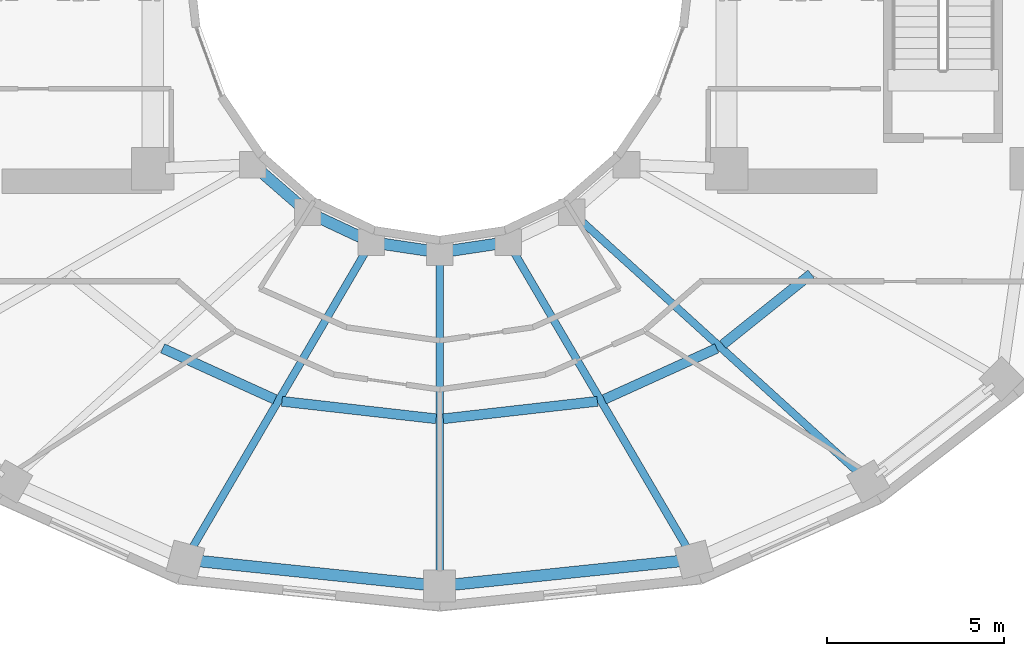
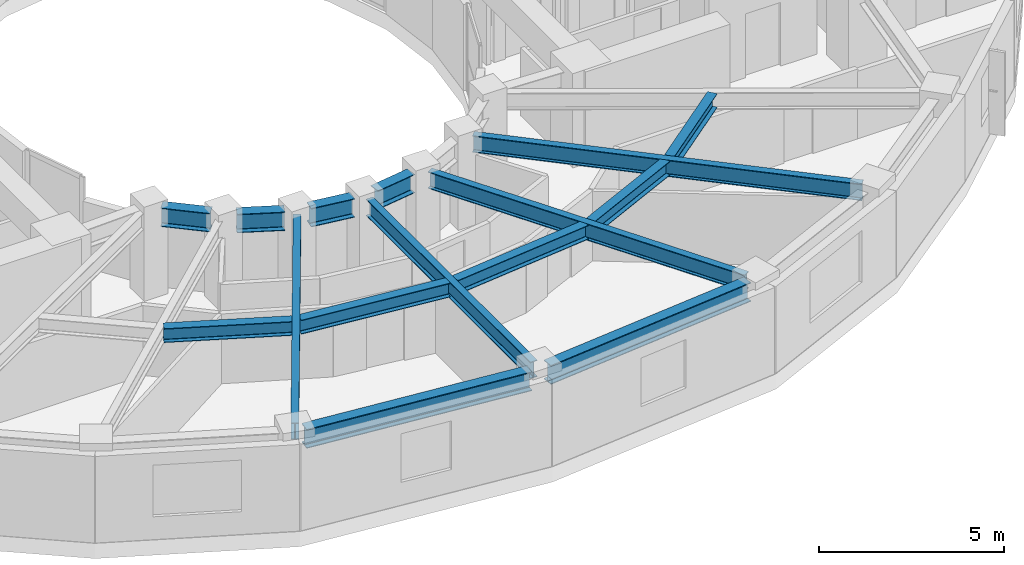
# One storey, part 3 of 20: 15 beams.
"""IFC4 building model written with IfcOpenShell, lengths in metres."""

from ifc_helpers import new_model, si_unit, direction, frame, origin, origin_2d, place, context, subcontext, project, spatial, i_section, extrude, material, material_profile, profile_set, type_object, element, save


model = new_model("IFC4")

# Units and contexts
model_context = context("Model", 3, precision=1e-05, world=origin(), true_north=direction((0.0, 1.0)))
body_context = subcontext(model_context, "Body", "Model", "MODEL_VIEW")
ifc_project = project(units=[si_unit("LENGTHUNIT", "METRE"), si_unit("AREAUNIT", "SQUARE_METRE"), si_unit("VOLUMEUNIT", "CUBIC_METRE"), si_unit("PLANEANGLEUNIT", "RADIAN"), si_unit("MASSUNIT", "GRAM", prefix="KILO")], contexts=[model_context])

# Site, building, storey
site_placement = place(None, origin())
site = spatial("IfcSite", under=ifc_project, at=site_placement, CompositionType="ELEMENT")
building_placement = place(site_placement, origin())
building = spatial("IfcBuilding", under=site, at=building_placement, Name="Solvane Sanctuary Tower", CompositionType="ELEMENT")
storey_placement = place(building_placement, frame((0.0, 0.0, 137.39990234375)))
storey = spatial("IfcBuildingStorey", under=building, at=storey_placement, Name="L41", CompositionType="ELEMENT", Elevation=137.39990234375)

# Beams
ifc_material = material(Name="Steel ASTM A992 Grade 50", Category="steel")
ifc_material_profile_1 = material_profile(ifc_material, i_section(OverallWidth=0.214111328125, OverallDepth=0.549072265625, WebThickness=0.0146484375, FlangeThickness=0.023681640625, FilletRadius=0.014892578125, at=origin_2d()), Name="W21X93")
ifc_profile_set_1 = profile_set([ifc_material_profile_1], Name="Steel ASTM A992 Grade 50")
beam_type_1 = type_object("IfcBeamType", Name="Beam B-RAD-Z3 W21X93", PredefinedType="JOIST", material=ifc_profile_set_1)
beam_1_placement = place(storey_placement, frame((29.927734375, 14.586669921875, 2.603515625), z_axis=(-0.505243742555, -0.862976686017, 0.0), x_axis=(0.862976686017, -0.505243742555, 0.0)))
element("IfcBeam", 1, at=beam_1_placement, inside=storey, type_object=beam_type_1, Name="L41 Radial Composite Floor Beam 10", PredefinedType="JOIST", context=body_context, shape_type="SweptSolid", body=[
    extrude(i_section(OverallWidth=0.214111328125, OverallDepth=0.549072265625, WebThickness=0.0146484375, FlangeThickness=0.023681640625, FilletRadius=0.014892578125, at=origin_2d()), origin(), (0.0, 0.0, 1.0), 9.826171875),
])
beam_2_placement = place(storey_placement, frame((32.0, 14.260009765625, 2.603515625), z_axis=(0.0, -1.0, 0.0), x_axis=(1.0, 0.0, 0.0)))
element("IfcBeam", 2, at=beam_2_placement, inside=storey, type_object=beam_type_1, Name="L41 Radial Composite Floor Beam 11", PredefinedType="JOIST", context=body_context, shape_type="SweptSolid", body=[
    extrude(i_section(OverallWidth=0.214111328125, OverallDepth=0.549072265625, WebThickness=0.0146484375, FlangeThickness=0.023681640625, FilletRadius=0.014892578125, at=origin_2d()), origin(), (0.0, 0.0, 1.0), 8.860107421875),
])
beam_3_placement = place(storey_placement, frame((34.072265625, 14.586669921875, 2.603515625), z_axis=(0.505243742555, -0.862976686017, 0.0), x_axis=(0.862976686017, 0.505243742555, 0.0)))
element("IfcBeam", 3, at=beam_3_placement, inside=storey, type_object=beam_type_1, Name="L41 Radial Composite Floor Beam 12", PredefinedType="JOIST", context=body_context, shape_type="SweptSolid", body=[
    extrude(i_section(OverallWidth=0.214111328125, OverallDepth=0.549072265625, WebThickness=0.0146484375, FlangeThickness=0.023681640625, FilletRadius=0.014892578125, at=origin_2d()), origin(), (0.0, 0.0, 1.0), 9.826171875),
])
beam_4_placement = place(storey_placement, frame((35.937255859375, 15.485107421875, 2.603515625), z_axis=(0.74020423772, -0.672382098558, 0.0), x_axis=(0.672382098558, 0.74020423772, 0.0)))
element("IfcBeam", 4, at=beam_4_placement, inside=storey, type_object=beam_type_1, Name="L41 Radial Composite Floor Beam 13", PredefinedType="JOIST", context=body_context, shape_type="SweptSolid", body=[
    extrude(i_section(OverallWidth=0.214111328125, OverallDepth=0.549072265625, WebThickness=0.0146484375, FlangeThickness=0.023681640625, FilletRadius=0.014892578125, at=origin_2d()), origin(), (0.0, 0.0, 1.0), 10.7451171875),
])
ifc_material_profile_2 = material_profile(ifc_material, i_section(OverallWidth=0.324951171875, OverallDepth=0.615966796875, WebThickness=0.013916015625, FlangeThickness=0.021484375, FilletRadius=0.01611328125, at=origin_2d()), Name="W24X117")
ifc_profile_set_2 = profile_set([ifc_material_profile_2], Name="Steel ASTM A992 Grade 50")
beam_type_2 = type_object("IfcBeamType", Name="Beam B-RING-IN2 W24X117", PredefinedType="BEAM", material=ifc_profile_set_2)
beam_5_placement = place(storey_placement, frame((26.9853515625, 16.79150390625, 2.570068359375), z_axis=(0.754311313851, -0.656516901379, 0.0), x_axis=(0.656516901379, 0.754311313851, 0.0)))
element("IfcBeam", 5, at=beam_5_placement, inside=storey, type_object=beam_type_2, Name="L41 Inner Light-Well Ring Beam IC08-IC09", PredefinedType="BEAM", context=body_context, shape_type="SweptSolid", body=[
    extrude(i_section(OverallWidth=0.324951171875, OverallDepth=0.615966796875, WebThickness=0.013916015625, FlangeThickness=0.021484375, FilletRadius=0.01611328125, at=origin_2d()), origin(), (0.0, 0.0, 1.0), 1.358154296875),
])
beam_6_placement = place(storey_placement, frame((28.582275390625, 15.526611328125, 2.570068359375), z_axis=(0.9051808128, -0.425026700502, 0.0), x_axis=(0.425026700502, 0.9051808128, 0.0)))
element("IfcBeam", 6, at=beam_6_placement, inside=storey, type_object=beam_type_2, Name="L41 Inner Light-Well Ring Beam IC09-IC10", PredefinedType="BEAM", context=body_context, shape_type="SweptSolid", body=[
    extrude(i_section(OverallWidth=0.324951171875, OverallDepth=0.615966796875, WebThickness=0.013916015625, FlangeThickness=0.021484375, FilletRadius=0.01611328125, at=origin_2d()), origin(), (0.0, 0.0, 1.0), 1.297607421875),
])
for number, where, z_axis, x_axis, name in (
    (7, (30.410400390625, 14.77734375, 2.570068359375), (0.989019905763, -0.147782360259, 0.0), (0.147782360259, 0.989019905763, 0.0), "L41 Inner Light-Well Ring Beam IC10-IC11"),
    (8, (32.34130859375, 14.5908203125, 2.570068359375), (0.989019905763, 0.147782360259, 0.0), (-0.147782360259, 0.989019905763, 0.0), "L41 Inner Light-Well Ring Beam IC11-IC12"),
):
    element("IfcBeam", number, at=place(storey_placement, frame(where, z_axis=z_axis, x_axis=x_axis)), inside=storey, type_object=beam_type_2, Name=name, PredefinedType="BEAM", context=body_context, shape_type="SweptSolid", body=[
        extrude(i_section(OverallWidth=0.324951171875, OverallDepth=0.615966796875, WebThickness=0.013916015625, FlangeThickness=0.021484375, FilletRadius=0.01611328125, at=origin_2d()), origin(), (0.0, 0.0, 1.0), 1.26220703125),
    ])
ifc_material_profile_3 = material_profile(ifc_material, i_section(OverallWidth=0.280029296875, OverallDepth=0.462890625, WebThickness=0.0107421875, FlangeThickness=0.017333984375, FilletRadius=0.013916015625, at=origin_2d()), Name="W18X76")
ifc_profile_set_3 = profile_set([ifc_material_profile_3], Name="Steel ASTM A992 Grade 50")
beam_type_3 = type_object("IfcBeamType", Name="Beam B-SEC-JOIST W18X76", PredefinedType="JOIST", material=ifc_profile_set_3)
beam_7_placement = place(storey_placement, frame((24.178955078125, 11.83056640625, 2.646484375), z_axis=(0.910462399508, -0.413591850842, 0.0), x_axis=(0.413591850842, 0.910462399508, 0.0)))
element("IfcBeam", 9, at=beam_7_placement, inside=storey, type_object=beam_type_3, Name="L41 Secondary Circumferential Joist 09-10", PredefinedType="JOIST", context=body_context, shape_type="SweptSolid", body=[
    extrude(i_section(OverallWidth=0.280029296875, OverallDepth=0.462890625, WebThickness=0.0107421875, FlangeThickness=0.017333984375, FilletRadius=0.013916015625, at=origin_2d()), origin(), (0.0, 0.0, 1.0), 3.485595703125),
])
for number, where, z_axis, x_axis, name in (
    (10, (27.546875, 10.335205078125, 2.646484375), (0.993627549834, -0.112713318696, 0.0), (0.112713318696, 0.993627549834, 0.0), "L41 Secondary Circumferential Joist 10-11"),
    (11, (32.101318359375, 9.841552734375, 2.646484375), (0.993627549834, 0.112713318696, 0.0), (-0.112713318696, 0.993627549834, 0.0), "L41 Secondary Circumferential Joist 11-12"),
):
    element("IfcBeam", number, at=place(storey_placement, frame(where, z_axis=z_axis, x_axis=x_axis)), inside=storey, type_object=beam_type_3, Name=name, PredefinedType="JOIST", context=body_context, shape_type="SweptSolid", body=[
        extrude(i_section(OverallWidth=0.280029296875, OverallDepth=0.462890625, WebThickness=0.0107421875, FlangeThickness=0.017333984375, FilletRadius=0.013916015625, at=origin_2d()), origin(), (0.0, 0.0, 1.0), 4.379638671875),
    ])
beam_8_placement = place(storey_placement, frame((36.6474609375, 10.388916015625, 2.646484375), z_axis=(0.910474379443, 0.413565477739, 0.0), x_axis=(-0.413565477739, 0.910474379443, 0.0)))
element("IfcBeam", 12, at=beam_8_placement, inside=storey, type_object=beam_type_3, Name="L41 Secondary Circumferential Joist 12-13", PredefinedType="JOIST", context=body_context, shape_type="SweptSolid", body=[
    extrude(i_section(OverallWidth=0.280029296875, OverallDepth=0.462890625, WebThickness=0.0107421875, FlangeThickness=0.017333984375, FilletRadius=0.013916015625, at=origin_2d()), origin(), (0.0, 0.0, 1.0), 3.48583984375),
])
beam_9_placement = place(storey_placement, frame((39.993896484375, 11.936279296875, 2.646484375), z_axis=(0.78092105122, 0.624629739735, 0.0), x_axis=(-0.624629739735, 0.78092105122, 0.0)))
element("IfcBeam", 13, at=beam_9_placement, inside=storey, type_object=beam_type_3, Name="L41 Secondary Circumferential Joist 13-14", PredefinedType="JOIST", context=body_context, shape_type="SweptSolid", body=[
    extrude(i_section(OverallWidth=0.280029296875, OverallDepth=0.462890625, WebThickness=0.0107421875, FlangeThickness=0.017333984375, FilletRadius=0.013916015625, at=origin_2d()), origin(), (0.0, 0.0, 1.0), 3.19140625),
])
ifc_material_profile_4 = material_profile(ifc_material, i_section(OverallWidth=0.327880859375, OverallDepth=0.6279296875, WebThickness=0.0166015625, FlangeThickness=0.027587890625, FilletRadius=0.01611328125, at=origin_2d()), Name="W24X146")
ifc_profile_set_4 = profile_set([ifc_material_profile_4], Name="Steel ASTM A992 Grade 50")
beam_type_4 = type_object("IfcBeamType", Name="Beam B-SPAND-Z3 W24X146", PredefinedType="SPANDREL", material=ifc_profile_set_4)
for number, where, z_axis, x_axis, name in (
    (14, (25.10009765625, 5.83642578125, 2.564208984375), (0.994652761118, -0.103275770632, 0.0), (0.103275770632, 0.994652761118, 0.0), "L41 Perimeter Spandrel Beam TC10-TC11"),
    (15, (32.278564453125, 5.14892578125, 2.564208984375), (0.994652761118, 0.103275770632, 0.0), (-0.103275770632, 0.994652761118, 0.0), "L41 Perimeter Spandrel Beam TC11-TC12"),
):
    element("IfcBeam", number, at=place(storey_placement, frame(where, z_axis=z_axis, x_axis=x_axis)), inside=storey, type_object=beam_type_4, Name=name, PredefinedType="SPANDREL", context=body_context, shape_type="SweptSolid", body=[
        extrude(i_section(OverallWidth=0.327880859375, OverallDepth=0.6279296875, WebThickness=0.0166015625, FlangeThickness=0.027587890625, FilletRadius=0.01611328125, at=origin_2d()), origin(), (0.0, 0.0, 1.0), 6.656982421875),
    ])

save(model, "model.ifc")
